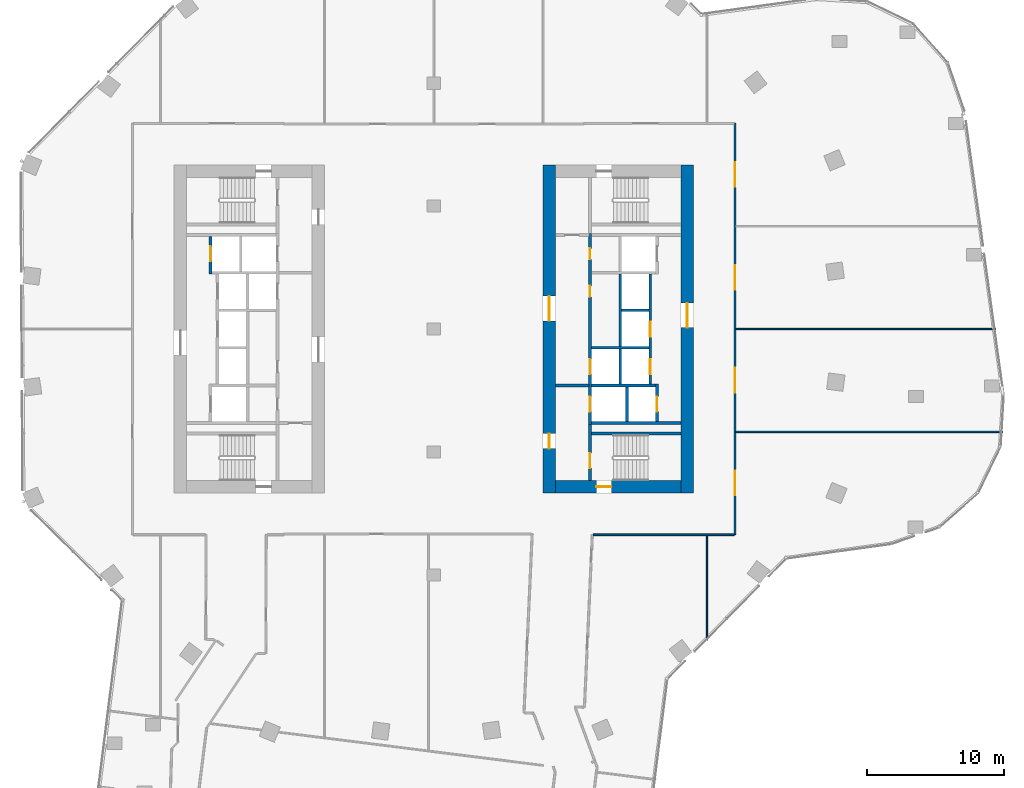
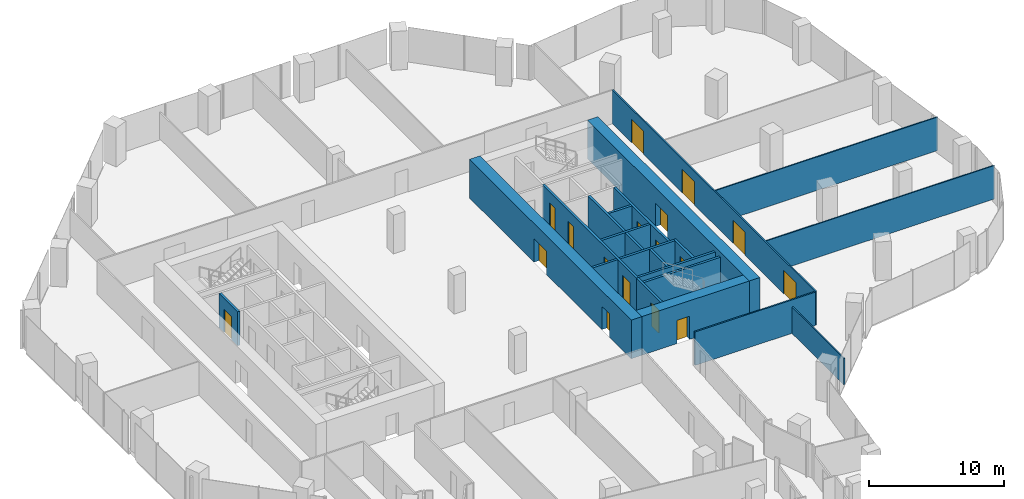
# One storey, part 21 of 27: 22 walls, 17 doors, 17 openings.
"""IFC4 building model written with IfcOpenShell, lengths in metres."""

import ifcopenshell
import ifcopenshell.guid

model = None  # the IFC model being written
_history = None  # IfcOwnerHistory: only IFC2X3 demands one
_inside = {}  # id of a spatial element -> (the spatial element, [elements in it])
_under = {}  # id of a project, library or spatial element -> (it, [spatial elements below it])
_declared = {}  # id of a project -> (the project, [libraries it declares])
_typed = {}  # id of a type object -> (the type object, [elements of that type])
_made_of = {}  # id of a material, layer set ... -> (it, [elements and type objects made of it])


def new_model(schema):
    """Start an empty IFC model of exactly this schema.

    Asked for "IFC4X3", IfcOpenShell would pick the latest addendum, in which some entities
    have other attributes; the version numbers below select the first issue.
    IFC2X3 requires an IfcOwnerHistory on every rooted entity: one is made here for all.
    """
    global model, _history
    if schema == "IFC4X3":
        model = ifcopenshell.file(schema_version=(4, 3, 0, 0))
    else:
        model = ifcopenshell.file(schema=schema)
    _inside.clear()
    _under.clear()
    _declared.clear()
    _typed.clear()
    _made_of.clear()
    _history = None
    if model.schema == "IFC2X3":
        org = make("IfcOrganization", Name="unknown")
        user = make(
            "IfcPersonAndOrganization",
            ThePerson=make("IfcPerson", FamilyName="unknown"),
            TheOrganization=org,
        )
        app = make(
            "IfcApplication",
            ApplicationDeveloper=org,
            Version="unknown",
            ApplicationFullName="unknown",
            ApplicationIdentifier="unknown",
        )
        _history = make(
            "IfcOwnerHistory",
            OwningUser=user,
            OwningApplication=app,
            ChangeAction="ADDED",
            CreationDate=0,
        )
    return model


def make(cls, **values):
    """One entity of the class cls with the attributes given. An attribute that is None is left unset."""
    return model.create_entity(
        cls, **{name: value for name, value in values.items() if value is not None}
    )


def rooted(cls, **values):
    """An entity with a GlobalId (a new one), such as an element, a storey or a relation."""
    return make(cls, GlobalId=ifcopenshell.guid.new(), OwnerHistory=_history, **values)


def si_unit(unit_type, name, prefix=None):
    """IfcSIUnit, for example si_unit("LENGTHUNIT", "METRE", prefix="MILLI")."""
    return make("IfcSIUnit", UnitType=unit_type, Prefix=prefix, Name=name)


def assignment(units):
    """IfcUnitAssignment: the units of a project."""
    return None if units is None else make("IfcUnitAssignment", Units=units)


def point(xyz):
    """IfcCartesianPoint."""
    return None if xyz is None else make("IfcCartesianPoint", Coordinates=xyz)


def direction(xyz):
    """IfcDirection."""
    return None if xyz is None else make("IfcDirection", DirectionRatios=xyz)


def frame(location, z_axis=None, x_axis=None):
    """IfcAxis2Placement3D, a coordinate frame: its origin and axes. An axis left out is left unset."""
    return make(
        "IfcAxis2Placement3D",
        Location=point(location),
        Axis=direction(z_axis),
        RefDirection=direction(x_axis),
    )


def frame_2d(location, x_axis=None):
    """IfcAxis2Placement2D, a coordinate frame in the plane: its origin and x axis."""
    return make(
        "IfcAxis2Placement2D", Location=point(location), RefDirection=direction(x_axis)
    )


def origin():
    """The frame at (0, 0, 0) with its axes left unset."""
    return frame((0.0, 0.0, 0.0))


def place(relative_to, where):
    """IfcLocalPlacement: puts the frame where relative to a parent placement (None: the world)."""
    return make(
        "IfcLocalPlacement", PlacementRelTo=relative_to, RelativePlacement=where
    )


def context(
    kind, dimensions, precision=None, world=None, true_north=None, identifier=None
):
    """IfcGeometricRepresentationContext, for example the 3D "Model" context."""
    return make(
        "IfcGeometricRepresentationContext",
        ContextIdentifier=identifier,
        ContextType=kind,
        CoordinateSpaceDimension=dimensions,
        Precision=precision,
        WorldCoordinateSystem=world,
        TrueNorth=true_north,
    )


def subcontext(parent, identifier, kind, view, scale=None):
    """IfcGeometricRepresentationSubContext, for example "Body" below "Model"."""
    return make(
        "IfcGeometricRepresentationSubContext",
        ContextIdentifier=identifier,
        ContextType=kind,
        ParentContext=parent,
        TargetScale=scale,
        TargetView=view,
    )


def project(units=None, contexts=None):
    """IfcProject with its units and contexts."""
    return rooted(
        "IfcProject",
        Name="project",
        RepresentationContexts=contexts,
        UnitsInContext=assignment(units),
    )


def spatial(cls, under=None, at=None, **own):
    """A site, building, storey or space (cls), placed at a placement, below another one or the project."""
    s = rooted(cls, ObjectPlacement=at, **own)
    if under is not None:
        _under.setdefault(under.id(), (under, []))[1].append(s)
    return s


def profile(cls, at=None, kind="AREA", **sizes):
    """A parametric profile (cls). Its sizes go by their IFC names, for example OverallWidth=200.0."""
    return make(cls, ProfileType=kind, Position=at, **sizes)


def rectangle(**sizes):
    """IfcRectangleProfileDef."""
    return profile("IfcRectangleProfileDef", **sizes)


def extrude(swept, where, along, depth):
    """IfcExtrudedAreaSolid: the profile swept, set in the frame where, extruded along a direction by depth."""
    return make(
        "IfcExtrudedAreaSolid",
        SweptArea=swept,
        Position=where,
        ExtrudedDirection=direction(along),
        Depth=depth,
    )


def shape(context_of_items, identifier, shape_type, items):
    """IfcShapeRepresentation: the items that make up one representation, for example the "Body"."""
    return make(
        "IfcShapeRepresentation",
        ContextOfItems=context_of_items,
        RepresentationIdentifier=identifier,
        RepresentationType=shape_type,
        Items=items,
    )


def material(Name=None, Category=None):
    """IfcMaterial."""
    return make("IfcMaterial", Name=Name, Category=Category)


def layer(
    of_material, thickness, ventilated=None, Name=None, Category=None, Priority=None
):
    """IfcMaterialLayer: one layer of a wall or slab, of a material (None: an air gap)."""
    return make(
        "IfcMaterialLayer",
        Material=of_material,
        LayerThickness=thickness,
        IsVentilated=ventilated,
        Name=Name,
        Category=Category,
        Priority=Priority,
    )


def layer_set(layers, Name=None):
    """IfcMaterialLayerSet."""
    return make("IfcMaterialLayerSet", MaterialLayers=layers, LayerSetName=Name)


def made_of(thing, what):
    """Note that an element or type object is made of a material, layer set ...; save() writes the relation."""
    if what is not None:
        _made_of.setdefault(what.id(), (what, []))[1].append(thing)
    return thing


def type_object(cls, material=None, **own):
    """A type object (cls), such as IfcWallType, which elements share."""
    return made_of(rooted(cls, **own), material)


def element(
    cls,
    number,
    at=None,
    inside=None,
    cuts=None,
    type_object=None,
    material=None,
    context=None,
    identifier="Body",
    shape_type=None,
    held_by="IfcProductDefinitionShape",
    body=None,
    shapes=None,
    **own,
):
    """One element of the class cls, such as IfcWall. Its Tag is "e" and its number.

    at: its placement. inside: the storey or other place that contains it. cuts: it is an
    opening in that element (IfcRelVoidsElement). A single representation is given by context,
    identifier, shape_type and body (its items); several are given by shapes. held_by: the class
    of the entity that holds the representations. save() writes the other relations.
    """
    e = rooted(cls, Tag="e%d" % number, ObjectPlacement=at, **own)
    if body is not None:
        shapes = [shape(context, identifier, shape_type, body)]
    if shapes is not None:
        e.Representation = make(held_by, Representations=shapes)
    if inside is not None:
        _inside.setdefault(inside.id(), (inside, []))[1].append(e)
    if cuts is not None:
        rooted(
            "IfcRelVoidsElement", RelatingBuildingElement=cuts, RelatedOpeningElement=e
        )
    if type_object is not None:
        _typed.setdefault(type_object.id(), (type_object, []))[1].append(e)
    return made_of(e, material)


def fill(opening, filler):
    """IfcRelFillsElement: the door or window that sits in an opening."""
    return rooted(
        "IfcRelFillsElement",
        RelatingOpeningElement=opening,
        RelatedBuildingElement=filler,
    )


def aggregate(whole, parts):
    """IfcRelAggregates: a whole, such as a stair, and the parts it consists of."""
    return rooted("IfcRelAggregates", RelatingObject=whole, RelatedObjects=parts)


def save(model, path):
    """Write the relations noted so far, then the file.

    IfcRelAggregates (storeys below a building ...), IfcRelContainedInSpatialStructure (elements
    in a storey), IfcRelDefinesByType, IfcRelAssociatesMaterial and IfcRelDeclares: one each for
    every whole, place, type object, material and project.
    """
    for whole, parts in _under.values():
        aggregate(whole, parts)
    for where, things in _inside.values():
        rooted(
            "IfcRelContainedInSpatialStructure",
            RelatedElements=things,
            RelatingStructure=where,
        )
    for kind, things in _typed.values():
        rooted("IfcRelDefinesByType", RelatedObjects=things, RelatingType=kind)
    for what, things in _made_of.values():
        rooted("IfcRelAssociatesMaterial", RelatedObjects=things, RelatingMaterial=what)
    for by, libraries in _declared.values():
        rooted("IfcRelDeclares", RelatingContext=by, RelatedDefinitions=libraries)
    model.write(path)


model = new_model("IFC4")

# Units and contexts
model_context = context("Model", 3, precision=1e-05, world=origin(), true_north=direction((0.0, 1.0)))
body_context = subcontext(model_context, "Body", "Model", "MODEL_VIEW")
ifc_project = project(units=[si_unit("LENGTHUNIT", "METRE"), si_unit("AREAUNIT", "SQUARE_METRE"), si_unit("VOLUMEUNIT", "CUBIC_METRE"), si_unit("PLANEANGLEUNIT", "RADIAN"), si_unit("MASSUNIT", "GRAM", prefix="KILO")], contexts=[model_context])

# Site, building, storey
site_placement = place(None, origin())
site = spatial("IfcSite", under=ifc_project, at=site_placement, CompositionType="ELEMENT")
building_placement = place(site_placement, origin())
building = spatial("IfcBuilding", under=site, at=building_placement, Name="Orlundy Tower", CompositionType="ELEMENT")
storey_placement = place(building_placement, frame((0.0, 0.0, 199.10009765625)))
storey = spatial("IfcBuildingStorey", under=building, at=storey_placement, Name="L52", CompositionType="ELEMENT", Elevation=199.10009765625)

# Wall, opening, door
ifc_material_1 = material(Name="Concrete C70/85", Category="concrete")
ifc_layer_1 = layer(ifc_material_1, 0.89990234375)
ifc_layer_set_1 = layer_set([ifc_layer_1], Name="CORE WALL 900 C70/85")
wall_type_1 = type_object("IfcWallType", Name="CORE WALL 900 C70/85", PredefinedType="SHEAR", material=ifc_layer_set_1)
wall_1_placement = place(storey_placement, frame((8.89990234375, -11.550048828125, 0.0), z_axis=(0.0, 0.0, 1.0), x_axis=(1.0, 0.0, 0.0)))
wall_1 = element("IfcWall", 1, at=wall_1_placement, inside=storey, type_object=wall_type_1, Name="Core wall E-S L52", PredefinedType="SHEAR", context=body_context, shape_type="SweptSolid", body=[
    extrude(rectangle(XDim=9.2001953125, YDim=0.89990234375, at=frame_2d((4.60009765625, 0.0))), origin(), (0.0, 0.0, 1.0), 3.5),
])
opening_1_placement = place(wall_1_placement, frame((3.0, 0.0, 0.0)))
opening_1 = element("IfcOpeningElement", 2, at=opening_1_placement, cuts=wall_1, Name="Opening 40061", PredefinedType="OPENING", context=body_context, shape_type="SweptSolid", body=[
    extrude(rectangle(XDim=1.10009765625, YDim=2.10009765625, at=frame_2d((0.550048828125, 1.050048828125))), frame((0.0, 0.4599609375, 0.0), z_axis=(0.0, -1.0, 0.0), x_axis=(1.0, 0.0, 0.0)), (0.0, 0.0, 1.0), 0.919921875),
])
ifc_material_2 = material(Name="Steel door set", Category="steel")
door_type_1 = type_object("IfcDoorType", Name="Stair Door 1100x2100", OperationType="SINGLE_SWING_LEFT", PredefinedType="DOOR", material=ifc_material_2)
door_1_placement = place(opening_1_placement, origin())
door_1 = element("IfcDoor", 3, at=door_1_placement, inside=storey, type_object=door_type_1, Name="Stair door 40061", OperationType="SINGLE_SWING_LEFT", OverallHeight=2.10009765625, OverallWidth=1.10009765625, PredefinedType="DOOR", context=body_context, shape_type="SweptSolid", body=[
    extrude(rectangle(XDim=1.10009765625, YDim=2.10009765625, at=frame_2d((0.550048828125, 1.050048828125))), frame((0.0, 0.02490234375, 0.0), z_axis=(0.0, -1.0, 0.0), x_axis=(1.0, 0.0, 0.0)), (0.0, 0.0, 1.0), 0.050048828125),
])
fill(opening_1, door_1)

# Wall, openings, doors
wall_2_placement = place(storey_placement, frame((8.449951171875, -12.0, 0.0), z_axis=(0.0, 0.0, 1.0), x_axis=(0.0, 1.0, 0.0)))
wall_2 = element("IfcWall", 4, at=wall_2_placement, inside=storey, type_object=wall_type_1, Name="Core wall E-W L52", PredefinedType="SHEAR", context=body_context, shape_type="SweptSolid", body=[
    extrude(rectangle(XDim=24.0, YDim=0.89990234375, at=frame_2d((12.0, 0.0))), origin(), (0.0, 0.0, 1.0), 3.5),
])
opening_2_placement = place(wall_2_placement, frame((12.60009765625, 0.0, 0.0)))
opening_2 = element("IfcOpeningElement", 5, at=opening_2_placement, cuts=wall_2, Name="Opening 40058", PredefinedType="OPENING", context=body_context, shape_type="SweptSolid", body=[
    extrude(rectangle(XDim=1.800048828125, YDim=2.10009765625, at=frame_2d((0.89990234375, 1.050048828125))), frame((0.0, 0.4599609375, 0.0), z_axis=(0.0, -1.0, 0.0), x_axis=(1.0, 0.0, 0.0)), (0.0, 0.0, 1.0), 0.919921875),
])
opening_3_placement = place(wall_2_placement, frame((3.25, 0.0, 0.0)))
opening_3 = element("IfcOpeningElement", 6, at=opening_3_placement, cuts=wall_2, Name="Opening 40060", PredefinedType="OPENING", context=body_context, shape_type="SweptSolid", body=[
    extrude(rectangle(XDim=1.10009765625, YDim=2.10009765625, at=frame_2d((0.550048828125, 1.050048828125))), frame((0.0, 0.4599609375, 0.0), z_axis=(0.0, -1.0, 0.0), x_axis=(1.0, 0.0, 0.0)), (0.0, 0.0, 1.0), 0.919921875),
])
ifc_material_3 = material(Name="Steel door set", Category="steel")
door_type_2 = type_object("IfcDoorType", Name="Fire-fighting Lobby Door 1100x2100", OperationType="SINGLE_SWING_LEFT", PredefinedType="DOOR", material=ifc_material_3)
door_2_placement = place(opening_3_placement, origin())
door_2 = element("IfcDoor", 7, at=door_2_placement, inside=storey, type_object=door_type_2, Name="Fire-fighting lobby door 40060", OperationType="SINGLE_SWING_LEFT", OverallHeight=2.10009765625, OverallWidth=1.10009765625, PredefinedType="DOOR", context=body_context, shape_type="SweptSolid", body=[
    extrude(rectangle(XDim=1.10009765625, YDim=2.10009765625, at=frame_2d((0.550048828125, 1.050048828125))), frame((0.0, 0.02490234375, 0.0), z_axis=(0.0, -1.0, 0.0), x_axis=(1.0, 0.0, 0.0)), (0.0, 0.0, 1.0), 0.050048828125),
])
fill(opening_3, door_2)
ifc_material_4 = material(Name="Timber door set", Category="wood")
door_type_3 = type_object("IfcDoorType", Name="Lobby Door 1800x2100", OperationType="DOUBLE_DOOR_DOUBLE_SWING", PredefinedType="DOOR", material=ifc_material_4)
door_3_placement = place(opening_2_placement, origin())
door_3 = element("IfcDoor", 8, at=door_3_placement, inside=storey, type_object=door_type_3, Name="Lift lobby door 40058", OperationType="SINGLE_SWING_RIGHT", OverallHeight=2.10009765625, OverallWidth=1.800048828125, PredefinedType="DOOR", context=body_context, shape_type="SweptSolid", body=[
    extrude(rectangle(XDim=1.800048828125, YDim=2.10009765625, at=frame_2d((0.89990234375, 1.050048828125))), frame((0.0, 0.02490234375, 0.0), z_axis=(0.0, -1.0, 0.0), x_axis=(1.0, 0.0, 0.0)), (0.0, 0.0, 1.0), 0.050048828125),
])
fill(opening_2, door_3)

# Wall, opening, door
wall_3_placement = place(storey_placement, frame((18.550048828125, -12.0, 0.0), z_axis=(0.0, 0.0, 1.0), x_axis=(0.0, 1.0, 0.0)))
wall_3 = element("IfcWall", 9, at=wall_3_placement, inside=storey, type_object=wall_type_1, Name="Core wall E-E L52", PredefinedType="SHEAR", context=body_context, shape_type="SweptSolid", body=[
    extrude(rectangle(XDim=24.0, YDim=0.89990234375, at=frame_2d((12.0, 0.0))), origin(), (0.0, 0.0, 1.0), 3.5),
])
opening_4_placement = place(wall_3_placement, frame((12.10009765625, 0.0, 0.0)))
opening_4 = element("IfcOpeningElement", 10, at=opening_4_placement, cuts=wall_3, Name="Opening 40059", PredefinedType="OPENING", context=body_context, shape_type="SweptSolid", body=[
    extrude(rectangle(XDim=1.800048828125, YDim=2.10009765625, at=frame_2d((0.89990234375, 1.050048828125))), frame((0.0, 0.4599609375, 0.0), z_axis=(0.0, -1.0, 0.0), x_axis=(1.0, 0.0, 0.0)), (0.0, 0.0, 1.0), 0.919921875),
])
door_4_placement = place(opening_4_placement, origin())
door_4 = element("IfcDoor", 11, at=door_4_placement, inside=storey, type_object=door_type_3, Name="Lift lobby door 40059", OperationType="SINGLE_SWING_RIGHT", OverallHeight=2.10009765625, OverallWidth=1.800048828125, PredefinedType="DOOR", context=body_context, shape_type="SweptSolid", body=[
    extrude(rectangle(XDim=1.800048828125, YDim=2.10009765625, at=frame_2d((0.89990234375, 1.050048828125))), frame((0.0, 0.02490234375, 0.0), z_axis=(0.0, -1.0, 0.0), x_axis=(1.0, 0.0, 0.0)), (0.0, 0.0, 1.0), 0.050048828125),
])
fill(opening_4, door_4)

# Walls
ifc_material_5 = material(Name="Gypsum board partition")
ifc_layer_2 = layer(ifc_material_5, 0.10009765625)
ifc_layer_set_2 = layer_set([ifc_layer_2], Name="Floor partition 100")
wall_type_2 = type_object("IfcWallType", Name="Floor partition 100", PredefinedType="PARTITIONING", material=ifc_layer_set_2)
wall_4_placement = place(storey_placement, frame((22.113037109375, -7.52392578125, 0.0), z_axis=(0.0, 0.0, 1.0), x_axis=(1.0, 0.0, 0.0)))
element("IfcWall", 12, at=wall_4_placement, inside=storey, type_object=wall_type_2, Name="wall-int-L52-034", PredefinedType="PARTITIONING", context=body_context, shape_type="SweptSolid", body=[
    extrude(rectangle(XDim=19.532958984375, YDim=0.10009765625, at=frame_2d((9.7666015625, 0.0))), origin(), (0.0, 0.0, 1.0), 3.02978515625),
])
wall_5_placement = place(storey_placement, frame((22.113037109375, 0.0, 0.0), z_axis=(0.0, 0.0, 1.0), x_axis=(1.0, 0.0, 0.0)))
element("IfcWall", 13, at=wall_5_placement, inside=storey, type_object=wall_type_2, Name="wall-int-L52-036", PredefinedType="PARTITIONING", context=body_context, shape_type="SweptSolid", body=[
    extrude(rectangle(XDim=19.02099609375, YDim=0.10009765625, at=frame_2d((9.510498046875, 0.0))), origin(), (0.0, 0.0, 1.0), 3.02978515625),
])
ifc_material_6 = material(Name="Gypsum board partition")
ifc_layer_3 = layer(ifc_material_6, 0.10009765625)
ifc_layer_set_3 = layer_set([ifc_layer_3], Name="Floor partition 100 B")
wall_type_3 = type_object("IfcWallType", Name="Floor partition 100 B", PredefinedType="PARTITIONING", material=ifc_layer_set_3)
wall_6_placement = place(storey_placement, frame((20.0, -22.7958984375, 0.0), z_axis=(0.0, 0.0, 1.0), x_axis=(0.0, 1.0, 0.0)))
element("IfcWall", 14, at=wall_6_placement, inside=storey, type_object=wall_type_3, Name="wall-int-L52-065", PredefinedType="PARTITIONING", context=body_context, shape_type="SweptSolid", body=[
    extrude(rectangle(XDim=7.681884765625, YDim=0.10009765625, at=frame_2d((3.8408203125, 0.0))), origin(), (0.0, 0.0, 1.0), 2.39501953125),
])
ifc_material_7 = material(Name="Gypsum board partition, double layer")
ifc_layer_4 = layer(ifc_material_7, 0.125)
ifc_layer_set_4 = layer_set([ifc_layer_4], Name="Floor partition 125")
wall_type_4 = type_object("IfcWallType", Name="Floor partition 125", PredefinedType="PARTITIONING", material=ifc_layer_set_4)
wall_7_placement = place(storey_placement, frame((11.6650390625, -15.051025390625, 0.0), z_axis=(0.0, 0.0, 1.0), x_axis=(1.0, 0.0, 0.0)))
element("IfcWall", 15, at=wall_7_placement, inside=storey, type_object=wall_type_4, Name="wall-int-L52-032", PredefinedType="PARTITIONING", context=body_context, shape_type="SweptSolid", body=[
    extrude(rectangle(XDim=10.322998046875, YDim=0.125, at=frame_2d((5.16162109375, 0.0))), origin(), (0.0, 0.0, 1.0), 3.02978515625),
])

# Wall, openings, doors
wall_8_placement = place(storey_placement, frame((22.051025390625, 15.050048828125, 0.0), z_axis=(0.0, 0.0, 1.0), x_axis=(0.0, -1.0, 0.0)))
wall_8 = element("IfcWall", 16, at=wall_8_placement, inside=storey, type_object=wall_type_4, Name="wall-int-L52-064", PredefinedType="PARTITIONING", context=body_context, shape_type="SweptSolid", body=[
    extrude(rectangle(XDim=30.10009765625, YDim=0.125, at=frame_2d((15.050048828125, 0.0))), origin(), (0.0, 0.0, 1.0), 3.02978515625),
])
opening_5_placement = place(wall_8_placement, frame((25.424072265625, 0.0, 0.0)))
opening_5 = element("IfcOpeningElement", 17, at=opening_5_placement, cuts=wall_8, Name="Opening 40118", PredefinedType="OPENING", context=body_context, shape_type="SweptSolid", body=[
    extrude(rectangle(XDim=1.800048828125, YDim=2.10009765625, at=frame_2d((0.89990234375, 1.050048828125))), frame((0.0, 0.072509765625, 0.0), z_axis=(0.0, -1.0, 0.0), x_axis=(1.0, 0.0, 0.0)), (0.0, 0.0, 1.0), 0.14501953125),
])
opening_6_placement = place(wall_8_placement, frame((17.89990234375, 0.0, 0.0)))
opening_6 = element("IfcOpeningElement", 18, at=opening_6_placement, cuts=wall_8, Name="Opening 40119", PredefinedType="OPENING", context=body_context, shape_type="SweptSolid", body=[
    extrude(rectangle(XDim=1.800048828125, YDim=2.10009765625, at=frame_2d((0.89990234375, 1.050048828125))), frame((0.0, 0.072509765625, 0.0), z_axis=(0.0, -1.0, 0.0), x_axis=(1.0, 0.0, 0.0)), (0.0, 0.0, 1.0), 0.14501953125),
])
opening_7_placement = place(wall_8_placement, frame((10.3759765625, 0.0, 0.0)))
opening_7 = element("IfcOpeningElement", 19, at=opening_7_placement, cuts=wall_8, Name="Opening 40120", PredefinedType="OPENING", context=body_context, shape_type="SweptSolid", body=[
    extrude(rectangle(XDim=1.800048828125, YDim=2.10009765625, at=frame_2d((0.89990234375, 1.050048828125))), frame((0.0, 0.072509765625, 0.0), z_axis=(0.0, -1.0, 0.0), x_axis=(1.0, 0.0, 0.0)), (0.0, 0.0, 1.0), 0.14501953125),
])
opening_8_placement = place(wall_8_placement, frame((2.85009765625, 0.0, 0.0)))
opening_8 = element("IfcOpeningElement", 20, at=opening_8_placement, cuts=wall_8, Name="Opening 40121", PredefinedType="OPENING", context=body_context, shape_type="SweptSolid", body=[
    extrude(rectangle(XDim=1.800048828125, YDim=2.10009765625, at=frame_2d((0.89990234375, 1.050048828125))), frame((0.0, 0.072509765625, 0.0), z_axis=(0.0, -1.0, 0.0), x_axis=(1.0, 0.0, 0.0)), (0.0, 0.0, 1.0), 0.14501953125),
])
ifc_material_8 = material(Name="Timber door leaf", Category="wood")
door_type_4 = type_object("IfcDoorType", Name="Floor door double 1800 FD30S", OperationType="NOTDEFINED", PredefinedType="DOOR", material=ifc_material_8)
door_5_placement = place(opening_5_placement, origin())
door_5 = element("IfcDoor", 21, at=door_5_placement, inside=storey, type_object=door_type_4, Name="Door 40118", OperationType="DOUBLE_DOOR_SINGLE_SWING", OverallHeight=2.10009765625, OverallWidth=1.800048828125, PredefinedType="DOOR", context=body_context, shape_type="SweptSolid", body=[
    extrude(rectangle(XDim=1.800048828125, YDim=2.10009765625, at=frame_2d((0.89990234375, 1.050048828125))), frame((0.0, 0.02490234375, 0.0), z_axis=(0.0, -1.0, 0.0), x_axis=(1.0, 0.0, 0.0)), (0.0, 0.0, 1.0), 0.050048828125),
])
fill(opening_5, door_5)
door_6_placement = place(opening_6_placement, origin())
door_6 = element("IfcDoor", 22, at=door_6_placement, inside=storey, type_object=door_type_4, Name="Door 40119", OperationType="DOUBLE_DOOR_SINGLE_SWING", OverallHeight=2.10009765625, OverallWidth=1.800048828125, PredefinedType="DOOR", context=body_context, shape_type="SweptSolid", body=[
    extrude(rectangle(XDim=1.800048828125, YDim=2.10009765625, at=frame_2d((0.89990234375, 1.050048828125))), frame((0.0, 0.02490234375, 0.0), z_axis=(0.0, -1.0, 0.0), x_axis=(1.0, 0.0, 0.0)), (0.0, 0.0, 1.0), 0.050048828125),
])
fill(opening_6, door_6)
door_7_placement = place(opening_7_placement, origin())
door_7 = element("IfcDoor", 23, at=door_7_placement, inside=storey, type_object=door_type_4, Name="Door 40120", OperationType="DOUBLE_DOOR_SINGLE_SWING", OverallHeight=2.10009765625, OverallWidth=1.800048828125, PredefinedType="DOOR", context=body_context, shape_type="SweptSolid", body=[
    extrude(rectangle(XDim=1.800048828125, YDim=2.10009765625, at=frame_2d((0.89990234375, 1.050048828125))), frame((0.0, 0.02490234375, 0.0), z_axis=(0.0, -1.0, 0.0), x_axis=(1.0, 0.0, 0.0)), (0.0, 0.0, 1.0), 0.050048828125),
])
fill(opening_7, door_7)
door_8_placement = place(opening_8_placement, origin())
door_8 = element("IfcDoor", 24, at=door_8_placement, inside=storey, type_object=door_type_4, Name="Door 40121", OperationType="DOUBLE_DOOR_SINGLE_SWING", OverallHeight=2.10009765625, OverallWidth=1.800048828125, PredefinedType="DOOR", context=body_context, shape_type="SweptSolid", body=[
    extrude(rectangle(XDim=1.800048828125, YDim=2.10009765625, at=frame_2d((0.89990234375, 1.050048828125))), frame((0.0, 0.02490234375, 0.0), z_axis=(0.0, -1.0, 0.0), x_axis=(1.0, 0.0, 0.0)), (0.0, 0.0, 1.0), 0.050048828125),
])
fill(opening_8, door_8)

# Wall
ifc_material_9 = material(Name="Concrete C40/50", Category="concrete")
ifc_layer_5 = layer(ifc_material_9, 0.199951171875)
ifc_layer_set_5 = layer_set([ifc_layer_5], Name="Load-bearing Shaft Wall 200")
wall_type_5 = type_object("IfcWallType", Name="Load-bearing Shaft Wall 200", PredefinedType="SOLIDWALL", material=ifc_layer_set_5)
wall_9_placement = place(storey_placement, frame((13.739990234375, 1.375, 0.0), z_axis=(0.0, 0.0, 1.0), x_axis=(1.0, 0.0, 0.0)))
element("IfcWall", 25, at=wall_9_placement, inside=storey, type_object=wall_type_5, Name="Shaft wall E40-cross-1.375", PredefinedType="SOLIDWALL", context=body_context, shape_type="SweptSolid", body=[
    extrude(rectangle(XDim=2.0, YDim=0.199951171875, at=frame_2d((1.0, 0.0))), origin(), (0.0, 0.0, 1.0), 3.079833984375),
])

# Wall, openings, doors
wall_10_placement = place(storey_placement, frame((11.43994140625, 6.97509765625, 0.0), z_axis=(0.0, 0.0, 1.0), x_axis=(0.0, -1.0, 0.0)))
wall_10 = element("IfcWall", 26, at=wall_10_placement, inside=storey, type_object=wall_type_5, Name="Shaft wall E40-front-h", PredefinedType="SOLIDWALL", context=body_context, shape_type="SweptSolid", body=[
    extrude(rectangle(XDim=13.9501953125, YDim=0.199951171875, at=frame_2d((6.97509765625, 0.0))), origin(), (0.0, 0.0, 1.0), 3.079833984375),
])
opening_9_placement = place(wall_10_placement, frame((9.175048828125, 0.0, 0.0)))
opening_9 = element("IfcOpeningElement", 27, at=opening_9_placement, cuts=wall_10, Name="Opening 40052", PredefinedType="OPENING", context=body_context, shape_type="SweptSolid", body=[
    extrude(rectangle(XDim=1.10009765625, YDim=2.10009765625, at=frame_2d((0.550048828125, 1.050048828125))), frame((0.0, 0.110107421875, 0.0), z_axis=(0.0, -1.0, 0.0), x_axis=(1.0, 0.0, 0.0)), (0.0, 0.0, 1.0), 0.22021484375),
])
opening_10_placement = place(wall_10_placement, frame((11.925048828125, 0.0, 0.0)))
opening_10 = element("IfcOpeningElement", 28, at=opening_10_placement, cuts=wall_10, Name="Opening 40054", PredefinedType="OPENING", context=body_context, shape_type="SweptSolid", body=[
    extrude(rectangle(XDim=1.10009765625, YDim=2.10009765625, at=frame_2d((0.550048828125, 1.050048828125))), frame((0.0, 0.110107421875, 0.0), z_axis=(0.0, -1.0, 0.0), x_axis=(1.0, 0.0, 0.0)), (0.0, 0.0, 1.0), 0.22021484375),
])
opening_11_placement = place(wall_10_placement, frame((1.074951171875, 0.0, 0.0)))
opening_11 = element("IfcOpeningElement", 29, at=opening_11_placement, cuts=wall_10, Name="Opening 40056", PredefinedType="OPENING", context=body_context, shape_type="SweptSolid", body=[
    extrude(rectangle(XDim=0.800048828125, YDim=2.10009765625, at=frame_2d((0.39990234375, 1.050048828125))), frame((0.0, 0.110107421875, 0.0), z_axis=(0.0, -1.0, 0.0), x_axis=(1.0, 0.0, 0.0)), (0.0, 0.0, 1.0), 0.22021484375),
])
opening_12_placement = place(wall_10_placement, frame((3.824951171875, 0.0, 0.0)))
opening_12 = element("IfcOpeningElement", 30, at=opening_12_placement, cuts=wall_10, Name="Opening 40057", PredefinedType="OPENING", context=body_context, shape_type="SweptSolid", body=[
    extrude(rectangle(XDim=0.800048828125, YDim=2.10009765625, at=frame_2d((0.39990234375, 1.050048828125))), frame((0.0, 0.110107421875, 0.0), z_axis=(0.0, -1.0, 0.0), x_axis=(1.0, 0.0, 0.0)), (0.0, 0.0, 1.0), 0.22021484375),
])
ifc_material_10 = material(Name="Steel door set", Category="steel")
door_type_5 = type_object("IfcDoorType", Name="Landing Door 1100x2100", OperationType="DOUBLE_DOOR_SLIDING", PredefinedType="DOOR", material=ifc_material_10)
door_9_placement = place(opening_9_placement, origin())
door_9 = element("IfcDoor", 31, at=door_9_placement, inside=storey, type_object=door_type_5, Name="Lift landing door LP-16 40052", OperationType="DOUBLE_DOOR_SLIDING", OverallHeight=2.10009765625, OverallWidth=1.10009765625, PredefinedType="DOOR", context=body_context, shape_type="SweptSolid", body=[
    extrude(rectangle(XDim=1.10009765625, YDim=2.10009765625, at=frame_2d((0.550048828125, 1.050048828125))), frame((0.0, 0.02490234375, 0.0), z_axis=(0.0, -1.0, 0.0), x_axis=(1.0, 0.0, 0.0)), (0.0, 0.0, 1.0), 0.050048828125),
])
fill(opening_9, door_9)
door_10_placement = place(opening_10_placement, origin())
door_10 = element("IfcDoor", 32, at=door_10_placement, inside=storey, type_object=door_type_5, Name="Lift landing door FL2 40054", OperationType="DOUBLE_DOOR_SLIDING", OverallHeight=2.10009765625, OverallWidth=1.10009765625, PredefinedType="DOOR", context=body_context, shape_type="SweptSolid", body=[
    extrude(rectangle(XDim=1.10009765625, YDim=2.10009765625, at=frame_2d((0.550048828125, 1.050048828125))), frame((0.0, 0.02490234375, 0.0), z_axis=(0.0, -1.0, 0.0), x_axis=(1.0, 0.0, 0.0)), (0.0, 0.0, 1.0), 0.050048828125),
])
fill(opening_10, door_10)
ifc_material_11 = material(Name="Timber door set", Category="wood")
door_type_6 = type_object("IfcDoorType", Name="Riser Door 800x2100", OperationType="SINGLE_SWING_LEFT", PredefinedType="DOOR", material=ifc_material_11)
door_11_placement = place(opening_11_placement, origin())
door_11 = element("IfcDoor", 33, at=door_11_placement, inside=storey, type_object=door_type_6, Name="Pantry Store door 40056", OperationType="SINGLE_SWING_LEFT", OverallHeight=2.10009765625, OverallWidth=0.800048828125, PredefinedType="DOOR", context=body_context, shape_type="SweptSolid", body=[
    extrude(rectangle(XDim=0.800048828125, YDim=2.10009765625, at=frame_2d((0.39990234375, 1.050048828125))), frame((0.0, 0.02490234375, 0.0), z_axis=(0.0, -1.0, 0.0), x_axis=(1.0, 0.0, 0.0)), (0.0, 0.0, 1.0), 0.050048828125),
])
fill(opening_11, door_11)
door_12_placement = place(opening_12_placement, origin())
door_12 = element("IfcDoor", 34, at=door_12_placement, inside=storey, type_object=door_type_6, Name="AV Store door 40057", OperationType="SINGLE_SWING_LEFT", OverallHeight=2.10009765625, OverallWidth=0.800048828125, PredefinedType="DOOR", context=body_context, shape_type="SweptSolid", body=[
    extrude(rectangle(XDim=0.800048828125, YDim=2.10009765625, at=frame_2d((0.39990234375, 1.050048828125))), frame((0.0, 0.02490234375, 0.0), z_axis=(0.0, -1.0, 0.0), x_axis=(1.0, 0.0, 0.0)), (0.0, 0.0, 1.0), 0.050048828125),
])
fill(opening_12, door_12)

# Wall
wall_11_placement = place(storey_placement, frame((13.639892578125, 4.02490234375, 0.0), z_axis=(0.0, 0.0, 1.0), x_axis=(0.0, -1.0, 0.0)))
element("IfcWall", 35, at=wall_11_placement, inside=storey, type_object=wall_type_5, Name="Shaft wall E40-mid-a.1", PredefinedType="SOLIDWALL", context=body_context, shape_type="SweptSolid", body=[
    extrude(rectangle(XDim=5.2998046875, YDim=0.199951171875, at=frame_2d((2.64990234375, 0.0))), origin(), (0.0, 0.0, 1.0), 3.079833984375),
])

# Wall, opening, door
wall_12_placement = place(storey_placement, frame((11.43994140625, -6.97509765625, 0.0), z_axis=(0.0, 0.0, 1.0), x_axis=(0.0, -1.0, 0.0)))
wall_12 = element("IfcWall", 36, at=wall_12_placement, inside=storey, type_object=wall_type_5, Name="Shaft wall E40-stair-end-n", PredefinedType="SOLIDWALL", context=body_context, shape_type="SweptSolid", body=[
    extrude(rectangle(XDim=4.125, YDim=0.199951171875, at=frame_2d((2.0625, 0.0))), origin(), (0.0, 0.0, 1.0), 3.079833984375),
])
opening_13_placement = place(wall_12_placement, frame((2.10009765625, 0.0, 0.0)))
opening_13 = element("IfcOpeningElement", 37, at=opening_13_placement, cuts=wall_12, Name="Opening 40063", PredefinedType="OPENING", context=body_context, shape_type="SweptSolid", body=[
    extrude(rectangle(XDim=1.10009765625, YDim=2.10009765625, at=frame_2d((0.550048828125, 1.050048828125))), frame((0.0, 0.110107421875, 0.0), z_axis=(0.0, -1.0, 0.0), x_axis=(1.0, 0.0, 0.0)), (0.0, 0.0, 1.0), 0.22021484375),
])
door_13_placement = place(opening_13_placement, origin())
door_13 = element("IfcDoor", 38, at=door_13_placement, inside=storey, type_object=door_type_2, Name="Fire-fighting lobby to stair door 40063", OperationType="SINGLE_SWING_RIGHT", OverallHeight=2.10009765625, OverallWidth=1.10009765625, PredefinedType="DOOR", context=body_context, shape_type="SweptSolid", body=[
    extrude(rectangle(XDim=1.10009765625, YDim=2.10009765625, at=frame_2d((0.550048828125, 1.050048828125))), frame((0.0, 0.02490234375, 0.0), z_axis=(0.0, -1.0, 0.0), x_axis=(1.0, 0.0, 0.0)), (0.0, 0.0, 1.0), 0.050048828125),
])
fill(opening_13, door_13)

# Walls
wall_13_placement = place(storey_placement, frame((11.5400390625, -7.64990234375, 0.0), z_axis=(0.0, 0.0, 1.0), x_axis=(1.0, 0.0, 0.0)))
element("IfcWall", 39, at=wall_13_placement, inside=storey, type_object=wall_type_5, Name="Shaft wall E40-stair-side-n", PredefinedType="SOLIDWALL", context=body_context, shape_type="SweptSolid", body=[
    extrude(rectangle(XDim=6.56005859375, YDim=0.199951171875, at=frame_2d((3.280029296875, 0.0))), origin(), (0.0, 0.0, 1.0), 3.079833984375),
])
ifc_material_12 = material(Name="Gypsum board partition on steel studs", Category="steel")
ifc_layer_6 = layer(ifc_material_12, 0.199951171875)
ifc_layer_set_6 = layer_set([ifc_layer_6], Name="Partition 200")
wall_type_6 = type_object("IfcWallType", Name="Partition 200", PredefinedType="PARTITIONING", material=ifc_layer_set_6)
wall_14_placement = place(storey_placement, frame((8.89990234375, -4.125, 0.0), z_axis=(0.0, 0.0, 1.0), x_axis=(1.0, 0.0, 0.0)))
element("IfcWall", 40, at=wall_14_placement, inside=storey, type_object=wall_type_6, Name="Partition wall E40-lobby-n", PredefinedType="PARTITIONING", context=body_context, shape_type="SweptSolid", body=[
    extrude(rectangle(XDim=2.440185546875, YDim=0.199951171875, at=frame_2d((1.22021484375, 0.0))), origin(), (0.0, 0.0, 1.0), 3.079833984375),
])

# Wall, opening, door
ifc_material_13 = material(Name="Fire-rated blockwork shaft wall", Category="masonry")
ifc_layer_7 = layer(ifc_material_13, 0.199951171875)
ifc_layer_set_7 = layer_set([ifc_layer_7], Name="Shaft Wall 200")
wall_type_7 = type_object("IfcWallType", Name="Shaft Wall 200", PredefinedType="SOLIDWALL", material=ifc_layer_set_7)
wall_15_placement = place(storey_placement, frame((-16.340087890625, 4.02490234375, 0.0), z_axis=(0.0, 0.0, 1.0), x_axis=(0.0, 1.0, 0.0)))
wall_15 = element("IfcWall", 41, at=wall_15_placement, inside=storey, type_object=wall_type_7, Name="Shaft wall W40-front-o-c", PredefinedType="SOLIDWALL", context=body_context, shape_type="SweptSolid", body=[
    extrude(rectangle(XDim=2.75, YDim=0.199951171875, at=frame_2d((1.375, 0.0))), origin(), (0.0, 0.0, 1.0), 3.079833984375),
])
opening_14_placement = place(wall_15_placement, frame((0.925048828125, 0.0, 0.0)))
opening_14 = element("IfcOpeningElement", 42, at=opening_14_placement, cuts=wall_15, Name="Opening 40006", PredefinedType="OPENING", context=body_context, shape_type="SweptSolid", body=[
    extrude(rectangle(XDim=1.10009765625, YDim=2.10009765625, at=frame_2d((0.550048828125, 1.050048828125))), frame((0.0, 0.110107421875, 0.0), z_axis=(0.0, -1.0, 0.0), x_axis=(1.0, 0.0, 0.0)), (0.0, 0.0, 1.0), 0.22021484375),
])
door_14_placement = place(opening_14_placement, origin())
door_14 = element("IfcDoor", 43, at=door_14_placement, inside=storey, type_object=door_type_5, Name="Lift landing door LP-14 40006", OperationType="DOUBLE_DOOR_SLIDING", OverallHeight=2.10009765625, OverallWidth=1.10009765625, PredefinedType="DOOR", context=body_context, shape_type="SweptSolid", body=[
    extrude(rectangle(XDim=1.10009765625, YDim=2.10009765625, at=frame_2d((0.550048828125, 1.050048828125))), frame((0.0, 0.02490234375, 0.0), z_axis=(0.0, -1.0, 0.0), x_axis=(1.0, 0.0, 0.0)), (0.0, 0.0, 1.0), 0.050048828125),
])
fill(opening_14, door_14)

# Walls
wall_16_placement = place(storey_placement, frame((11.5400390625, -6.875, 0.0), z_axis=(0.0, 0.0, 1.0), x_axis=(1.0, 0.0, 0.0)))
element("IfcWall", 44, at=wall_16_placement, inside=storey, type_object=wall_type_7, Name="Shaft wall E40-zone-n", PredefinedType="SOLIDWALL", context=body_context, shape_type="SweptSolid", body=[
    extrude(rectangle(XDim=6.56005859375, YDim=0.199951171875, at=frame_2d((3.280029296875, 0.0))), origin(), (0.0, 0.0, 1.0), 3.079833984375),
])
wall_17_placement = place(storey_placement, frame((11.5400390625, -1.375, 0.0), z_axis=(0.0, 0.0, 1.0), x_axis=(1.0, 0.0, 0.0)))
element("IfcWall", 45, at=wall_17_placement, inside=storey, type_object=wall_type_7, Name="Shaft wall E40-cross+1.375", PredefinedType="SOLIDWALL", context=body_context, shape_type="SweptSolid", body=[
    extrude(rectangle(XDim=4.199951171875, YDim=0.199951171875, at=frame_2d((2.10009765625, 0.0))), origin(), (0.0, 0.0, 1.0), 3.079833984375),
])
wall_18_placement = place(storey_placement, frame((11.5400390625, -4.125, 0.0), z_axis=(0.0, 0.0, 1.0), x_axis=(1.0, 0.0, 0.0)))
element("IfcWall", 46, at=wall_18_placement, inside=storey, type_object=wall_type_7, Name="Shaft wall E40-cross+4.125", PredefinedType="SOLIDWALL", context=body_context, shape_type="SweptSolid", body=[
    extrude(rectangle(XDim=4.699951171875, YDim=0.199951171875, at=frame_2d((2.35009765625, 0.0))), origin(), (0.0, 0.0, 1.0), 3.079833984375),
])
for number, where, z_axis, x_axis, name in (
    (47, (13.639892578125, -1.47509765625, 0.0), (0.0, 0.0, 1.0), (0.0, -1.0, 0.0), "Shaft wall E40-mid-a.2"),
    (48, (14.139892578125, -4.22509765625, 0.0), (0.0, 0.0, 1.0), (0.0, -1.0, 0.0), "Shaft wall E40-mid-b"),
):
    element("IfcWall", number, at=place(storey_placement, frame(where, z_axis=z_axis, x_axis=x_axis)), inside=storey, type_object=wall_type_7, Name=name, PredefinedType="SOLIDWALL", context=body_context, shape_type="SweptSolid", body=[
        extrude(rectangle(XDim=2.5498046875, YDim=0.199951171875, at=frame_2d((1.27490234375, 0.0))), origin(), (0.0, 0.0, 1.0), 3.079833984375),
    ])

# Wall, openings, doors
wall_19_placement = place(storey_placement, frame((15.840087890625, 4.02490234375, 0.0), z_axis=(0.0, 0.0, 1.0), x_axis=(0.0, -1.0, 0.0)))
wall_19 = element("IfcWall", 49, at=wall_19_placement, inside=storey, type_object=wall_type_7, Name="Shaft wall E40-front-o-b", PredefinedType="SOLIDWALL", context=body_context, shape_type="SweptSolid", body=[
    extrude(rectangle(XDim=8.0498046875, YDim=0.199951171875, at=frame_2d((4.02490234375, 0.0))), origin(), (0.0, 0.0, 1.0), 3.079833984375),
])
opening_15_placement = place(wall_19_placement, frame((3.47509765625, 0.0, 0.0)))
opening_15 = element("IfcOpeningElement", 50, at=opening_15_placement, cuts=wall_19, Name="Opening 40051", PredefinedType="OPENING", context=body_context, shape_type="SweptSolid", body=[
    extrude(rectangle(XDim=1.10009765625, YDim=2.10009765625, at=frame_2d((0.550048828125, 1.050048828125))), frame((0.0, 0.110107421875, 0.0), z_axis=(0.0, -1.0, 0.0), x_axis=(1.0, 0.0, 0.0)), (0.0, 0.0, 1.0), 0.22021484375),
])
opening_16_placement = place(wall_19_placement, frame((6.22509765625, 0.0, 0.0)))
opening_16 = element("IfcOpeningElement", 51, at=opening_16_placement, cuts=wall_19, Name="Opening 40053", PredefinedType="OPENING", context=body_context, shape_type="SweptSolid", body=[
    extrude(rectangle(XDim=1.10009765625, YDim=2.10009765625, at=frame_2d((0.550048828125, 1.050048828125))), frame((0.0, 0.110107421875, 0.0), z_axis=(0.0, -1.0, 0.0), x_axis=(1.0, 0.0, 0.0)), (0.0, 0.0, 1.0), 0.22021484375),
])
door_15_placement = place(opening_15_placement, origin())
door_15 = element("IfcDoor", 52, at=door_15_placement, inside=storey, type_object=door_type_5, Name="Lift landing door LP-15 40051", OperationType="DOUBLE_DOOR_SLIDING", OverallHeight=2.10009765625, OverallWidth=1.10009765625, PredefinedType="DOOR", context=body_context, shape_type="SweptSolid", body=[
    extrude(rectangle(XDim=1.10009765625, YDim=2.10009765625, at=frame_2d((0.550048828125, 1.050048828125))), frame((0.0, 0.02490234375, 0.0), z_axis=(0.0, -1.0, 0.0), x_axis=(1.0, 0.0, 0.0)), (0.0, 0.0, 1.0), 0.050048828125),
])
fill(opening_15, door_15)
door_16_placement = place(opening_16_placement, origin())
door_16 = element("IfcDoor", 53, at=door_16_placement, inside=storey, type_object=door_type_5, Name="Lift landing door LP-17 40053", OperationType="DOUBLE_DOOR_SLIDING", OverallHeight=2.10009765625, OverallWidth=1.10009765625, PredefinedType="DOOR", context=body_context, shape_type="SweptSolid", body=[
    extrude(rectangle(XDim=1.10009765625, YDim=2.10009765625, at=frame_2d((0.550048828125, 1.050048828125))), frame((0.0, 0.02490234375, 0.0), z_axis=(0.0, -1.0, 0.0), x_axis=(1.0, 0.0, 0.0)), (0.0, 0.0, 1.0), 0.050048828125),
])
fill(opening_16, door_16)

# Wall, opening, door
wall_20_placement = place(storey_placement, frame((16.340087890625, -4.02490234375, 0.0), z_axis=(0.0, 0.0, 1.0), x_axis=(0.0, -1.0, 0.0)))
wall_20 = element("IfcWall", 54, at=wall_20_placement, inside=storey, type_object=wall_type_7, Name="Shaft wall E40-front-o-c", PredefinedType="SOLIDWALL", context=body_context, shape_type="SweptSolid", body=[
    extrude(rectangle(XDim=2.75, YDim=0.199951171875, at=frame_2d((1.375, 0.0))), origin(), (0.0, 0.0, 1.0), 3.079833984375),
])
opening_17_placement = place(wall_20_placement, frame((0.925048828125, 0.0, 0.0)))
opening_17 = element("IfcOpeningElement", 55, at=opening_17_placement, cuts=wall_20, Name="Opening 40055", PredefinedType="OPENING", context=body_context, shape_type="SweptSolid", body=[
    extrude(rectangle(XDim=1.10009765625, YDim=2.10009765625, at=frame_2d((0.550048828125, 1.050048828125))), frame((0.0, 0.110107421875, 0.0), z_axis=(0.0, -1.0, 0.0), x_axis=(1.0, 0.0, 0.0)), (0.0, 0.0, 1.0), 0.22021484375),
])
door_17_placement = place(opening_17_placement, origin())
door_17 = element("IfcDoor", 56, at=door_17_placement, inside=storey, type_object=door_type_5, Name="Lift landing door LP-18 40055", OperationType="DOUBLE_DOOR_SLIDING", OverallHeight=2.10009765625, OverallWidth=1.10009765625, PredefinedType="DOOR", context=body_context, shape_type="SweptSolid", body=[
    extrude(rectangle(XDim=1.10009765625, YDim=2.10009765625, at=frame_2d((0.550048828125, 1.050048828125))), frame((0.0, 0.02490234375, 0.0), z_axis=(0.0, -1.0, 0.0), x_axis=(1.0, 0.0, 0.0)), (0.0, 0.0, 1.0), 0.050048828125),
])
fill(opening_17, door_17)

save(model, "model.ifc")
